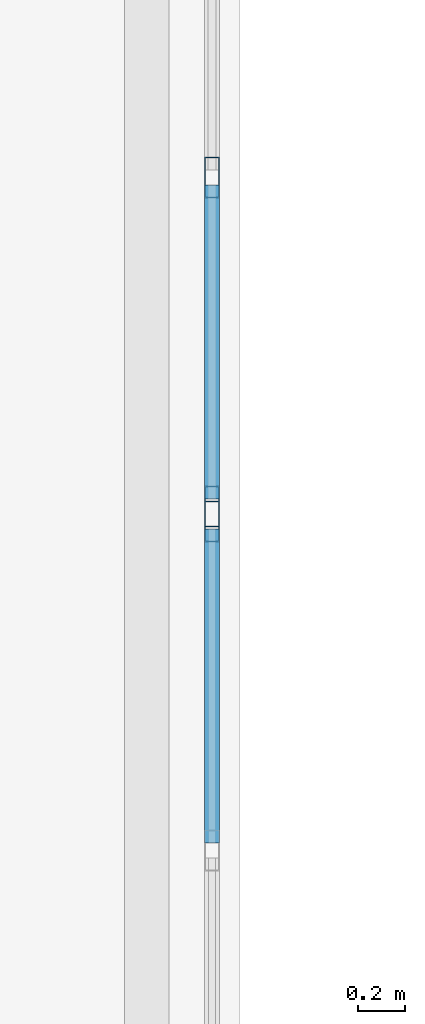
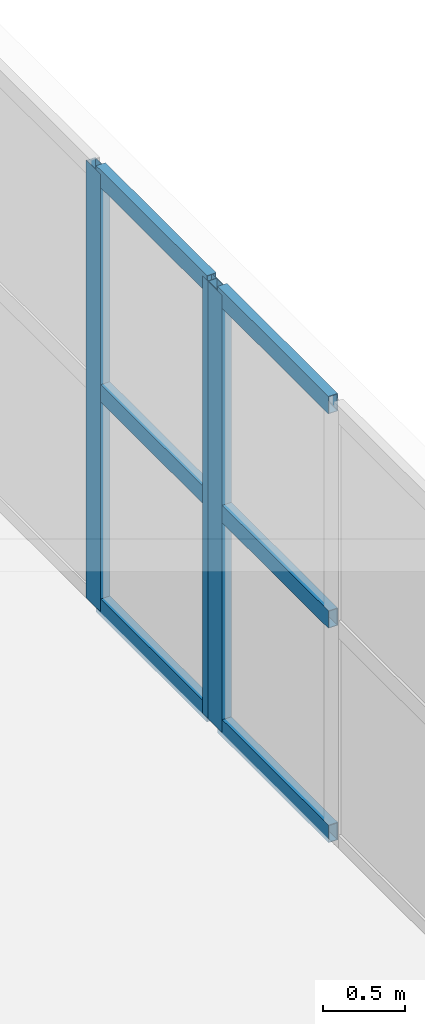
# One storey, part 58 of 142: 9 members, 2 elements without a shape of their own.
"""IFC4 building model written with IfcOpenShell, lengths in metres."""

import ifcopenshell
import ifcopenshell.guid

model = None  # the IFC model being written
_history = None  # IfcOwnerHistory: only IFC2X3 demands one
_inside = {}  # id of a spatial element -> (the spatial element, [elements in it])
_under = {}  # id of a project, library or spatial element -> (it, [spatial elements below it])
_declared = {}  # id of a project -> (the project, [libraries it declares])
_typed = {}  # id of a type object -> (the type object, [elements of that type])
_made_of = {}  # id of a material, layer set ... -> (it, [elements and type objects made of it])


def new_model(schema):
    """Start an empty IFC model of exactly this schema.

    Asked for "IFC4X3", IfcOpenShell would pick the latest addendum, in which some entities
    have other attributes; the version numbers below select the first issue.
    IFC2X3 requires an IfcOwnerHistory on every rooted entity: one is made here for all.
    """
    global model, _history
    if schema == "IFC4X3":
        model = ifcopenshell.file(schema_version=(4, 3, 0, 0))
    else:
        model = ifcopenshell.file(schema=schema)
    _inside.clear()
    _under.clear()
    _declared.clear()
    _typed.clear()
    _made_of.clear()
    _history = None
    if model.schema == "IFC2X3":
        org = make("IfcOrganization", Name="unknown")
        user = make(
            "IfcPersonAndOrganization",
            ThePerson=make("IfcPerson", FamilyName="unknown"),
            TheOrganization=org,
        )
        app = make(
            "IfcApplication",
            ApplicationDeveloper=org,
            Version="unknown",
            ApplicationFullName="unknown",
            ApplicationIdentifier="unknown",
        )
        _history = make(
            "IfcOwnerHistory",
            OwningUser=user,
            OwningApplication=app,
            ChangeAction="ADDED",
            CreationDate=0,
        )
    return model


def make(cls, **values):
    """One entity of the class cls with the attributes given. An attribute that is None is left unset."""
    return model.create_entity(
        cls, **{name: value for name, value in values.items() if value is not None}
    )


def rooted(cls, **values):
    """An entity with a GlobalId (a new one), such as an element, a storey or a relation."""
    return make(cls, GlobalId=ifcopenshell.guid.new(), OwnerHistory=_history, **values)


def si_unit(unit_type, name, prefix=None):
    """IfcSIUnit, for example si_unit("LENGTHUNIT", "METRE", prefix="MILLI")."""
    return make("IfcSIUnit", UnitType=unit_type, Prefix=prefix, Name=name)


def assignment(units):
    """IfcUnitAssignment: the units of a project."""
    return None if units is None else make("IfcUnitAssignment", Units=units)


def point(xyz):
    """IfcCartesianPoint."""
    return None if xyz is None else make("IfcCartesianPoint", Coordinates=xyz)


def direction(xyz):
    """IfcDirection."""
    return None if xyz is None else make("IfcDirection", DirectionRatios=xyz)


def frame(location, z_axis=None, x_axis=None):
    """IfcAxis2Placement3D, a coordinate frame: its origin and axes. An axis left out is left unset."""
    return make(
        "IfcAxis2Placement3D",
        Location=point(location),
        Axis=direction(z_axis),
        RefDirection=direction(x_axis),
    )


def frame_2d(location, x_axis=None):
    """IfcAxis2Placement2D, a coordinate frame in the plane: its origin and x axis."""
    return make(
        "IfcAxis2Placement2D", Location=point(location), RefDirection=direction(x_axis)
    )


def origin():
    """The frame at (0, 0, 0) with its axes left unset."""
    return frame((0.0, 0.0, 0.0))


def origin_2d():
    """The frame at (0, 0) in the plane with its x axis left unset."""
    return frame_2d((0.0, 0.0))


def place(relative_to, where):
    """IfcLocalPlacement: puts the frame where relative to a parent placement (None: the world)."""
    return make(
        "IfcLocalPlacement", PlacementRelTo=relative_to, RelativePlacement=where
    )


def context(
    kind, dimensions, precision=None, world=None, true_north=None, identifier=None
):
    """IfcGeometricRepresentationContext, for example the 3D "Model" context."""
    return make(
        "IfcGeometricRepresentationContext",
        ContextIdentifier=identifier,
        ContextType=kind,
        CoordinateSpaceDimension=dimensions,
        Precision=precision,
        WorldCoordinateSystem=world,
        TrueNorth=true_north,
    )


def subcontext(parent, identifier, kind, view, scale=None):
    """IfcGeometricRepresentationSubContext, for example "Body" below "Model"."""
    return make(
        "IfcGeometricRepresentationSubContext",
        ContextIdentifier=identifier,
        ContextType=kind,
        ParentContext=parent,
        TargetScale=scale,
        TargetView=view,
    )


def project(units=None, contexts=None):
    """IfcProject with its units and contexts."""
    return rooted(
        "IfcProject",
        Name="project",
        RepresentationContexts=contexts,
        UnitsInContext=assignment(units),
    )


def spatial(cls, under=None, at=None, **own):
    """A site, building, storey or space (cls), placed at a placement, below another one or the project."""
    s = rooted(cls, ObjectPlacement=at, **own)
    if under is not None:
        _under.setdefault(under.id(), (under, []))[1].append(s)
    return s


def profile(cls, at=None, kind="AREA", **sizes):
    """A parametric profile (cls). Its sizes go by their IFC names, for example OverallWidth=200.0."""
    return make(cls, ProfileType=kind, Position=at, **sizes)


def hollow_rectangle(**sizes):
    """IfcRectangleHollowProfileDef."""
    return profile("IfcRectangleHollowProfileDef", **sizes)


def extrude(swept, where, along, depth):
    """IfcExtrudedAreaSolid: the profile swept, set in the frame where, extruded along a direction by depth."""
    return make(
        "IfcExtrudedAreaSolid",
        SweptArea=swept,
        Position=where,
        ExtrudedDirection=direction(along),
        Depth=depth,
    )


def shape(context_of_items, identifier, shape_type, items):
    """IfcShapeRepresentation: the items that make up one representation, for example the "Body"."""
    return make(
        "IfcShapeRepresentation",
        ContextOfItems=context_of_items,
        RepresentationIdentifier=identifier,
        RepresentationType=shape_type,
        Items=items,
    )


def material(Name=None, Category=None):
    """IfcMaterial."""
    return make("IfcMaterial", Name=Name, Category=Category)


def layer(
    of_material, thickness, ventilated=None, Name=None, Category=None, Priority=None
):
    """IfcMaterialLayer: one layer of a wall or slab, of a material (None: an air gap)."""
    return make(
        "IfcMaterialLayer",
        Material=of_material,
        LayerThickness=thickness,
        IsVentilated=ventilated,
        Name=Name,
        Category=Category,
        Priority=Priority,
    )


def layer_set(layers, Name=None):
    """IfcMaterialLayerSet."""
    return make("IfcMaterialLayerSet", MaterialLayers=layers, LayerSetName=Name)


def material_profile(
    of_material, cross_section, Name=None, Category=None, Priority=None
):
    """IfcMaterialProfile: a cross section and its material."""
    return make(
        "IfcMaterialProfile",
        Name=Name,
        Material=of_material,
        Profile=cross_section,
        Priority=Priority,
        Category=Category,
    )


def profile_set(profiles, Name=None, composite=None):
    """IfcMaterialProfileSet."""
    return make(
        "IfcMaterialProfileSet",
        Name=Name,
        MaterialProfiles=profiles,
        CompositeProfile=composite,
    )


def made_of(thing, what):
    """Note that an element or type object is made of a material, layer set ...; save() writes the relation."""
    if what is not None:
        _made_of.setdefault(what.id(), (what, []))[1].append(thing)
    return thing


def type_object(cls, material=None, **own):
    """A type object (cls), such as IfcWallType, which elements share."""
    return made_of(rooted(cls, **own), material)


def element(
    cls,
    number,
    at=None,
    inside=None,
    cuts=None,
    type_object=None,
    material=None,
    context=None,
    identifier="Body",
    shape_type=None,
    held_by="IfcProductDefinitionShape",
    body=None,
    shapes=None,
    **own,
):
    """One element of the class cls, such as IfcWall. Its Tag is "e" and its number.

    at: its placement. inside: the storey or other place that contains it. cuts: it is an
    opening in that element (IfcRelVoidsElement). A single representation is given by context,
    identifier, shape_type and body (its items); several are given by shapes. held_by: the class
    of the entity that holds the representations. save() writes the other relations.
    """
    e = rooted(cls, Tag="e%d" % number, ObjectPlacement=at, **own)
    if body is not None:
        shapes = [shape(context, identifier, shape_type, body)]
    if shapes is not None:
        e.Representation = make(held_by, Representations=shapes)
    if inside is not None:
        _inside.setdefault(inside.id(), (inside, []))[1].append(e)
    if cuts is not None:
        rooted(
            "IfcRelVoidsElement", RelatingBuildingElement=cuts, RelatedOpeningElement=e
        )
    if type_object is not None:
        _typed.setdefault(type_object.id(), (type_object, []))[1].append(e)
    return made_of(e, material)


def aggregate(whole, parts):
    """IfcRelAggregates: a whole, such as a stair, and the parts it consists of."""
    return rooted("IfcRelAggregates", RelatingObject=whole, RelatedObjects=parts)


def save(model, path):
    """Write the relations noted so far, then the file.

    IfcRelAggregates (storeys below a building ...), IfcRelContainedInSpatialStructure (elements
    in a storey), IfcRelDefinesByType, IfcRelAssociatesMaterial and IfcRelDeclares: one each for
    every whole, place, type object, material and project.
    """
    for whole, parts in _under.values():
        aggregate(whole, parts)
    for where, things in _inside.values():
        rooted(
            "IfcRelContainedInSpatialStructure",
            RelatedElements=things,
            RelatingStructure=where,
        )
    for kind, things in _typed.values():
        rooted("IfcRelDefinesByType", RelatedObjects=things, RelatingType=kind)
    for what, things in _made_of.values():
        rooted("IfcRelAssociatesMaterial", RelatedObjects=things, RelatingMaterial=what)
    for by, libraries in _declared.values():
        rooted("IfcRelDeclares", RelatingContext=by, RelatedDefinitions=libraries)
    model.write(path)


model = new_model("IFC4")

# Units and contexts
model_context = context("Model", 3, precision=1e-05, world=origin(), true_north=direction((0.0, 1.0)))
body_context = subcontext(model_context, "Body", "Model", "MODEL_VIEW")
ifc_project = project(units=[si_unit("LENGTHUNIT", "METRE"), si_unit("AREAUNIT", "SQUARE_METRE"), si_unit("VOLUMEUNIT", "CUBIC_METRE"), si_unit("PLANEANGLEUNIT", "RADIAN"), si_unit("MASSUNIT", "GRAM", prefix="KILO")], contexts=[model_context])

# Site, building, storey
site_placement = place(None, origin())
site = spatial("IfcSite", under=ifc_project, at=site_placement, CompositionType="ELEMENT")
building_placement = place(site_placement, origin())
building = spatial("IfcBuilding", under=site, at=building_placement, Name="Valcora Specialist Clinic", CompositionType="ELEMENT")
storey_placement = place(building_placement, frame((0.0, 0.0, 5.10009765625)))
storey = spatial("IfcBuildingStorey", under=building, at=storey_placement, Name="L01", CompositionType="ELEMENT", Elevation=5.10009765625)

# Curtain wall, member
ifc_material = material(Name="Anodized Bronze Aluminium 6063-T6", Category="aluminium")
ifc_layer = layer(ifc_material, 0.175048828125)
ifc_layer_set = layer_set([ifc_layer], Name="Anodized Bronze Aluminium 6063-T6")
curtain_wall_type = type_object("IfcCurtainWallType", Name="TY-CW-BRG14", PredefinedType="NOTDEFINED", material=ifc_layer_set)
curtain_wall_1_placement = place(storey_placement, origin())
curtain_wall_1 = element("IfcCurtainWall", 1, at=curtain_wall_1_placement, inside=storey, type_object=curtain_wall_type, Name="Curtain wall CW-L01-246", PredefinedType="NOTDEFINED")
ifc_material_profile_1 = material_profile(ifc_material, hollow_rectangle(XDim=0.06494140625, YDim=0.175048828125, WallThickness=0.00390625, at=origin_2d()), Name="AL-MUL-65X175")
ifc_profile_set_1 = profile_set([ifc_material_profile_1], Name="Anodized Bronze Aluminium 6063-T6")
member_type_1 = type_object("IfcMemberType", Name="TY-CWM-65X175", PredefinedType="MULLION", material=ifc_profile_set_1)
member_1_placement = place(storey_placement, frame((65.280029296875, 62.13427734375, 0.0), z_axis=(0.0, 0.0, 1.0), x_axis=(-1.0, 0.0, 0.0)))
member_1 = element("IfcMember", 2, at=member_1_placement, type_object=member_type_1, Name="CW-BRG-14 mullion 5", PredefinedType="MULLION", context=body_context, shape_type="SweptSolid", body=[
    extrude(hollow_rectangle(XDim=0.06494140625, YDim=0.175048828125, WallThickness=0.00390625, at=origin_2d()), origin(), (0.0, 0.0, 1.0), 3.239990234375),
])

# Curtain wall, members
curtain_wall_2_placement = place(storey_placement, origin())
curtain_wall_2 = element("IfcCurtainWall", 3, at=curtain_wall_2_placement, inside=storey, type_object=curtain_wall_type, Name="Curtain wall CW-L01-247", PredefinedType="NOTDEFINED")
member_2_placement = place(storey_placement, frame((65.280029296875, 62.19921875, 0.0), z_axis=(0.0, 0.0, 1.0), x_axis=(-1.0, 0.0, 0.0)))
member_2 = element("IfcMember", 4, at=member_2_placement, type_object=member_type_1, Name="CW-BRG-14 mullion 1", PredefinedType="MULLION", context=body_context, shape_type="SweptSolid", body=[
    extrude(hollow_rectangle(XDim=0.06494140625, YDim=0.175048828125, WallThickness=0.00390625, at=origin_2d()), origin(), (0.0, 0.0, 1.0), 3.239990234375),
])
member_3_placement = place(storey_placement, frame((65.280029296875, 63.6083984375, 0.0), z_axis=(0.0, 0.0, 1.0), x_axis=(-1.0, 0.0, 0.0)))
member_3 = element("IfcMember", 5, at=member_3_placement, type_object=member_type_1, Name="CW-BRG-14 mullion 2", PredefinedType="MULLION", context=body_context, shape_type="SweptSolid", body=[
    extrude(hollow_rectangle(XDim=0.06494140625, YDim=0.175048828125, WallThickness=0.00390625, at=origin_2d()), origin(), (0.0, 0.0, 1.0), 3.239990234375),
])

# Member
ifc_material_profile_2 = material_profile(ifc_material, hollow_rectangle(XDim=0.06494140625, YDim=0.1298828125, WallThickness=0.00390625, at=origin_2d()), Name="AL-TRN-65X130")
ifc_profile_set_2 = profile_set([ifc_material_profile_2], Name="Anodized Bronze Aluminium 6063-T6")
member_type_2 = type_object("IfcMemberType", Name="TY-CWT-65X130", PredefinedType="USERDEFINED", material=ifc_profile_set_2)
member_4_placement = place(storey_placement, frame((65.280029296875, 60.757568359375, 0.032470703125), z_axis=(0.0, 1.0, 0.0), x_axis=(-1.0, 0.0, 0.0)))
member_4 = element("IfcMember", 6, at=member_4_placement, type_object=member_type_2, Name="CW-BRG-14 transom 4.1", ObjectType="TRANSOM", PredefinedType="USERDEFINED", context=body_context, shape_type="SweptSolid", body=[
    extrude(hollow_rectangle(XDim=0.06494140625, YDim=0.1298828125, WallThickness=0.00390625, at=origin_2d()), origin(), (0.0, 0.0, 1.0), 1.34423828125),
])

member_5_placement = place(storey_placement, frame((65.280029296875, 60.757568359375, 1.619873046875), z_axis=(0.0, 1.0, 0.0), x_axis=(-1.0, 0.0, 0.0)))
member_5 = element("IfcMember", 7, at=member_5_placement, type_object=member_type_2, Name="CW-BRG-14 transom 4.2", ObjectType="TRANSOM", PredefinedType="USERDEFINED", context=body_context, shape_type="SweptSolid", body=[
    extrude(hollow_rectangle(XDim=0.06494140625, YDim=0.1298828125, WallThickness=0.00390625, at=origin_2d()), origin(), (0.0, 0.0, 1.0), 1.34423828125),
])

member_6_placement = place(storey_placement, frame((65.280029296875, 60.757568359375, 3.20751953125), z_axis=(0.0, 1.0, 0.0), x_axis=(-1.0, 0.0, 0.0)))
member_6 = element("IfcMember", 8, at=member_6_placement, type_object=member_type_2, Name="CW-BRG-14 transom 4.3", ObjectType="TRANSOM", PredefinedType="USERDEFINED", context=body_context, shape_type="SweptSolid", body=[
    extrude(hollow_rectangle(XDim=0.06494140625, YDim=0.1298828125, WallThickness=0.00390625, at=origin_2d()), origin(), (0.0, 0.0, 1.0), 1.34423828125),
])

aggregate(curtain_wall_1, [member_1, member_4, member_5, member_6])

member_7_placement = place(storey_placement, frame((65.280029296875, 62.231689453125, 0.032470703125), z_axis=(0.0, 1.0, 0.0), x_axis=(-1.0, 0.0, 0.0)))
member_7 = element("IfcMember", 9, at=member_7_placement, type_object=member_type_2, Name="CW-BRG-14 transom 1.1", ObjectType="TRANSOM", PredefinedType="USERDEFINED", context=body_context, shape_type="SweptSolid", body=[
    extrude(hollow_rectangle(XDim=0.06494140625, YDim=0.1298828125, WallThickness=0.00390625, at=origin_2d()), origin(), (0.0, 0.0, 1.0), 1.34423828125),
])

member_8_placement = place(storey_placement, frame((65.280029296875, 62.231689453125, 1.619873046875), z_axis=(0.0, 1.0, 0.0), x_axis=(-1.0, 0.0, 0.0)))
member_8 = element("IfcMember", 10, at=member_8_placement, type_object=member_type_2, Name="CW-BRG-14 transom 1.2", ObjectType="TRANSOM", PredefinedType="USERDEFINED", context=body_context, shape_type="SweptSolid", body=[
    extrude(hollow_rectangle(XDim=0.06494140625, YDim=0.1298828125, WallThickness=0.00390625, at=origin_2d()), origin(), (0.0, 0.0, 1.0), 1.34423828125),
])

member_9_placement = place(storey_placement, frame((65.280029296875, 62.231689453125, 3.20751953125), z_axis=(0.0, 1.0, 0.0), x_axis=(-1.0, 0.0, 0.0)))
member_9 = element("IfcMember", 11, at=member_9_placement, type_object=member_type_2, Name="CW-BRG-14 transom 1.3", ObjectType="TRANSOM", PredefinedType="USERDEFINED", context=body_context, shape_type="SweptSolid", body=[
    extrude(hollow_rectangle(XDim=0.06494140625, YDim=0.1298828125, WallThickness=0.00390625, at=origin_2d()), origin(), (0.0, 0.0, 1.0), 1.34423828125),
])

aggregate(curtain_wall_2, [member_2, member_3, member_7, member_8, member_9])

save(model, "model.ifc")
